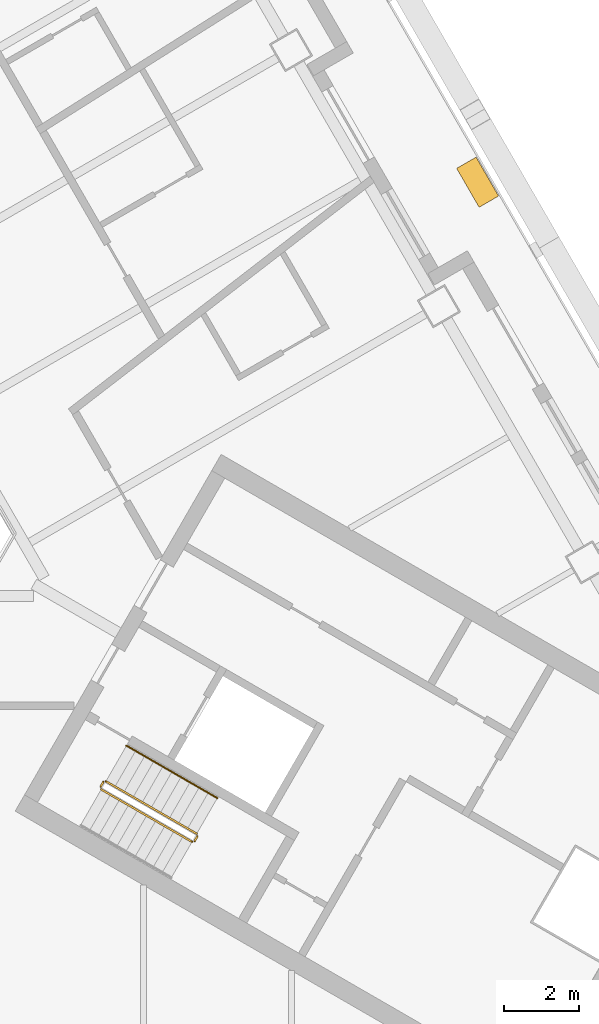
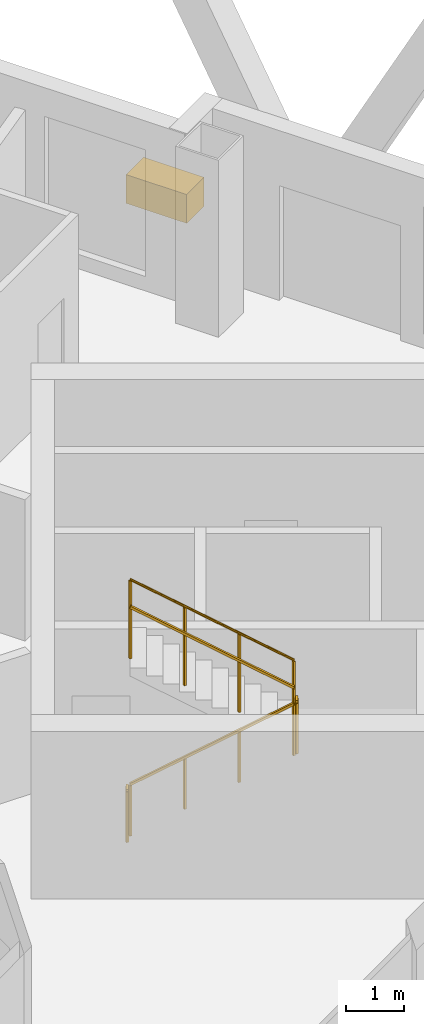
# One storey, part 12 of 14: 5 railings, 1 covering.
"""IFC4 building model written with IfcOpenShell, lengths in metres."""

from ifc_helpers import new_model, si_unit, direction, frame, origin, origin_2d, place, context, subcontext, project, spatial, rectangle, circle, extrude, material, type_object, element, save


model = new_model("IFC4")

# Units and contexts
model_context = context("Model", 3, precision=1e-05, world=origin(), true_north=direction((0.0, 1.0)))
body_context = subcontext(model_context, "Body", "Model", "MODEL_VIEW")
ifc_project = project(units=[si_unit("LENGTHUNIT", "METRE"), si_unit("AREAUNIT", "SQUARE_METRE"), si_unit("VOLUMEUNIT", "CUBIC_METRE"), si_unit("PLANEANGLEUNIT", "RADIAN"), si_unit("MASSUNIT", "GRAM", prefix="KILO")], contexts=[model_context])

# Site, building, storey
site_placement = place(None, origin())
site = spatial("IfcSite", under=ifc_project, at=site_placement, CompositionType="ELEMENT")
building_placement = place(site_placement, origin())
building = spatial("IfcBuilding", under=site, at=building_placement, Name="Apuvela Tower Hotel", CompositionType="ELEMENT")
storey_placement = place(building_placement, frame((0.0, 0.0, 176.199951171875)))
storey = spatial("IfcBuildingStorey", under=building, at=storey_placement, Name="L42", CompositionType="ELEMENT", Elevation=176.199951171875)

# Railings
ifc_material_1 = material(Name="Steel S275 balustrade", Category="steel")
railing_type_1 = type_object("IfcRailingType", Name="COR-GUARD-1100", PredefinedType="GUARDRAIL", material=ifc_material_1)
railing_1_placement = place(storey_placement, frame((10.718994140625, -10.63427734375, 0.168212890625)))
element("IfcRailing", 1, at=railing_1_placement, inside=storey, type_object=railing_type_1, Name="L42 ST3 stair guard 1", PredefinedType="GUARDRAIL", context=body_context, shape_type="SweptSolid", body=[
    extrude(rectangle(XDim=0.048095703125, YDim=0.048095703125, at=origin_2d()), frame((0.0, 0.0, 1.076171875), z_axis=(0.742390482028, -0.42860119049, 0.514934356695), x_axis=(0.49998411664, 0.866034573852, 0.0)), (0.0, 0.0, 1.0), 3.26611328125),
    extrude(rectangle(XDim=0.0419921875, YDim=0.0419921875, at=origin_2d()), origin(), (0.0, 0.0, 1.0), 1.052001953125),
    extrude(rectangle(XDim=0.0419921875, YDim=0.0419921875, at=origin_2d()), frame((0.808349609375, -0.466552734375, 0.560546875)), (0.0, 0.0, 1.0), 1.052001953125),
    extrude(rectangle(XDim=0.0419921875, YDim=0.0419921875, at=origin_2d()), frame((1.616455078125, -0.933349609375, 1.121337890625)), (0.0, 0.0, 1.0), 1.052001953125),
    extrude(rectangle(XDim=0.0419921875, YDim=0.0419921875, at=origin_2d()), frame((2.4248046875, -1.39990234375, 1.681884765625)), (0.0, 0.0, 1.0), 1.052001953125),
])
railing_2_placement = place(storey_placement, frame((13.212158203125, -12.015869140625, 1.85009765625)))
element("IfcRailing", 2, at=railing_2_placement, inside=storey, type_object=railing_type_1, Name="L42 ST3 stair guard 2", PredefinedType="GUARDRAIL", context=body_context, shape_type="SweptSolid", body=[
    extrude(rectangle(XDim=0.048095703125, YDim=0.048095703125, at=origin_2d()), frame((0.0, 0.0, 1.076171875), z_axis=(0.499816412211, 0.866131372301, 0.0), x_axis=(-0.866131372301, 0.499816412211, 0.0)), (0.0, 0.0, 1.0), 0.14990234375),
    extrude(rectangle(XDim=0.0419921875, YDim=0.0419921875, at=origin_2d()), origin(), (0.0, 0.0, 1.0), 1.052001953125),
    extrude(rectangle(XDim=0.0419921875, YDim=0.0419921875, at=origin_2d()), frame((0.074951171875, 0.1298828125, 0.0)), (0.0, 0.0, 1.0), 1.052001953125),
])
railing_3_placement = place(storey_placement, frame((13.268798828125, -11.817626953125, 2.018310546875)))
element("IfcRailing", 3, at=railing_3_placement, inside=storey, type_object=railing_type_1, Name="L42 ST3 stair guard 3", PredefinedType="GUARDRAIL", context=body_context, shape_type="SweptSolid", body=[
    extrude(rectangle(XDim=0.048095703125, YDim=0.048095703125, at=origin_2d()), frame((0.0, 0.0, 1.076171875), z_axis=(-0.74241905619, 0.428617687091, 0.514879426), x_axis=(-0.49998411664, -0.866034573852, 0.0)), (0.0, 0.0, 1.0), 3.26611328125),
    extrude(rectangle(XDim=0.0419921875, YDim=0.0419921875, at=origin_2d()), origin(), (0.0, 0.0, 1.0), 1.052001953125),
    extrude(rectangle(XDim=0.0419921875, YDim=0.0419921875, at=origin_2d()), frame((-0.808349609375, 0.466552734375, 0.560546875)), (0.0, 0.0, 1.0), 1.052001953125),
    extrude(rectangle(XDim=0.0419921875, YDim=0.0419921875, at=origin_2d()), frame((-1.616455078125, 0.933349609375, 1.12109375)), (0.0, 0.0, 1.0), 1.052001953125),
    extrude(rectangle(XDim=0.0419921875, YDim=0.0419921875, at=origin_2d()), frame((-2.4248046875, 1.39990234375, 1.681640625)), (0.0, 0.0, 1.0), 1.052001953125),
])
railing_4_placement = place(storey_placement, frame((10.70068359375, -10.56591796875, 0.0)))
element("IfcRailing", 4, at=railing_4_placement, inside=storey, type_object=railing_type_1, Name="L42 ST3 stair guard 4", PredefinedType="GUARDRAIL", context=body_context, shape_type="SweptSolid", body=[
    extrude(rectangle(XDim=0.048095703125, YDim=0.048095703125, at=origin_2d()), frame((0.0, 0.0, 1.076171875), z_axis=(0.499816412211, 0.866131372301, 0.0), x_axis=(-0.866131372301, 0.499816412211, 0.0)), (0.0, 0.0, 1.0), 0.14990234375),
    extrude(rectangle(XDim=0.0419921875, YDim=0.0419921875, at=origin_2d()), origin(), (0.0, 0.0, 1.0), 1.052001953125),
    extrude(rectangle(XDim=0.0419921875, YDim=0.0419921875, at=origin_2d()), frame((0.074951171875, 0.1298828125, 0.0)), (0.0, 0.0, 1.0), 1.052001953125),
])
ifc_material_2 = material(Name="Stainless steel 316 handrail", Category="steel")
railing_type_2 = type_object("IfcRailingType", Name="COR-HANDRAIL-900", PredefinedType="HANDRAIL", material=ifc_material_2)
railing_5_placement = place(storey_placement, frame((13.81884765625, -10.864990234375, 2.018310546875)))
element("IfcRailing", 5, at=railing_5_placement, inside=storey, type_object=railing_type_2, Name="L42 ST3 stair handrail 2", PredefinedType="HANDRAIL", context=body_context, shape_type="SweptSolid", body=[
    extrude(circle(Radius=0.02392578125, at=origin_2d()), frame((0.0, 0.0, 0.8759765625), z_axis=(-0.74241905619, 0.428617687091, 0.514879426), x_axis=(-0.49998411664, -0.866034573852, 0.0)), (0.0, 0.0, 1.0), 3.26611328125),
    extrude(rectangle(XDim=0.0419921875, YDim=0.0419921875, at=origin_2d()), origin(), (0.0, 0.0, 1.0), 0.851806640625),
    extrude(rectangle(XDim=0.0419921875, YDim=0.0419921875, at=origin_2d()), frame((-0.808349609375, 0.466552734375, 0.560546875)), (0.0, 0.0, 1.0), 0.851806640625),
    extrude(rectangle(XDim=0.0419921875, YDim=0.0419921875, at=origin_2d()), frame((-1.616455078125, 0.933349609375, 1.12109375)), (0.0, 0.0, 1.0), 0.851806640625),
    extrude(rectangle(XDim=0.0419921875, YDim=0.0419921875, at=origin_2d()), frame((-2.4248046875, 1.39990234375, 1.681640625)), (0.0, 0.0, 1.0), 0.851806640625),
])

# Covering
ifc_material_3 = material(Name="Planting substrate and soil, planted")
covering_type = type_object("IfcCoveringType", Name="ENV-PLANTER-1200x600", PredefinedType="USERDEFINED", material=ifc_material_3)
covering_placement = place(storey_placement, frame((20.77099609375, 5.58349609375, 0.0), z_axis=(0.0, 0.0, 1.0), x_axis=(-0.5, 0.866025403784, 0.0)))
element("IfcCovering", 6, at=covering_placement, inside=storey, type_object=covering_type, Name="Planter NE3", ObjectType="PLANTER", PredefinedType="USERDEFINED", context=body_context, shape_type="SweptSolid", body=[
    extrude(rectangle(XDim=1.199951171875, YDim=0.60009765625, at=origin_2d()), origin(), (0.0, 0.0, 1.0), 0.60009765625),
])

save(model, "model.ifc")
